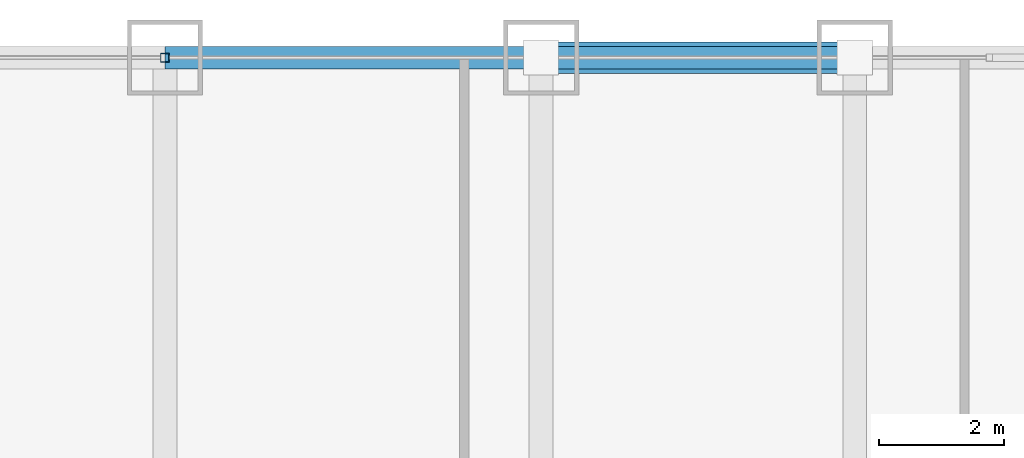
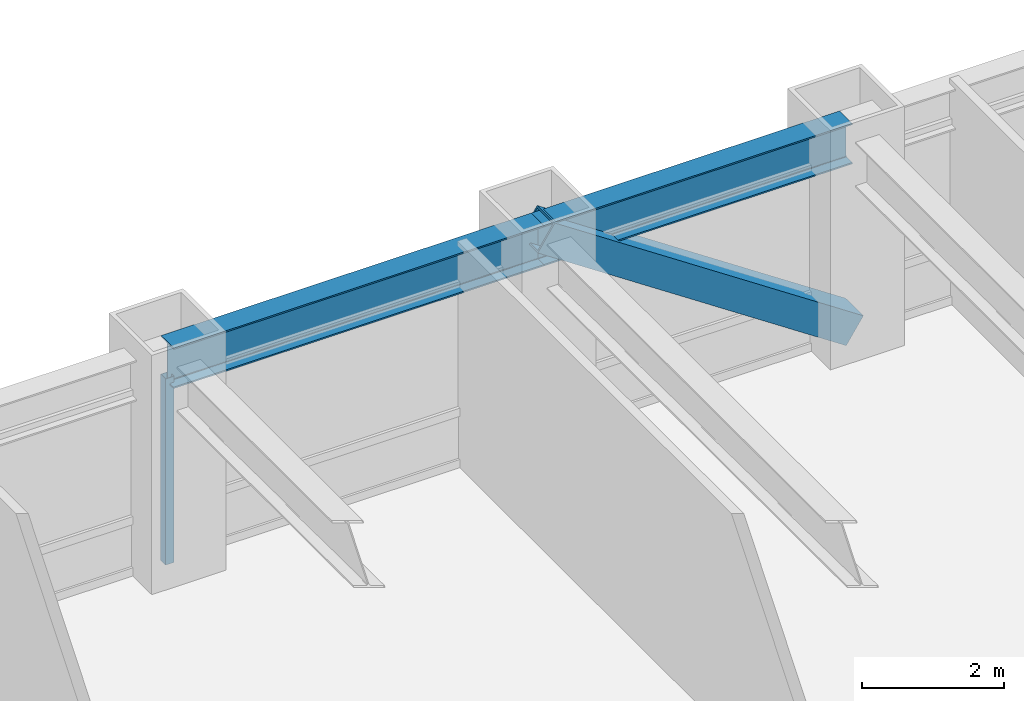
# One storey, part 19 of 27: 2 beams, 2 members, 1 element without a shape of its own.
"""IFC4 building model written with IfcOpenShell, lengths in metres."""

from ifc_helpers import new_model, si_unit, direction, frame, origin, origin_2d, place, context, subcontext, project, spatial, hollow_rectangle, i_section, extrude, source, transform, mapped, material, material_profile, profile_set, type_object, element, aggregate, save


model = new_model("IFC4")

# Units and contexts
model_context = context("Model", 3, precision=1e-05, world=origin(), true_north=direction((0.0, 1.0)))
body_context = subcontext(model_context, "Body", "Model", "MODEL_VIEW")
ifc_project = project(units=[si_unit("LENGTHUNIT", "METRE"), si_unit("AREAUNIT", "SQUARE_METRE"), si_unit("VOLUMEUNIT", "CUBIC_METRE"), si_unit("PLANEANGLEUNIT", "RADIAN"), si_unit("MASSUNIT", "GRAM", prefix="KILO")], contexts=[model_context])

# Site, building, storey
site_placement = place(None, origin())
site = spatial("IfcSite", under=ifc_project, at=site_placement, CompositionType="ELEMENT")
building_placement = place(site_placement, origin())
building = spatial("IfcBuilding", under=site, at=building_placement, Name="Khorayat Bourse Tower", CompositionType="ELEMENT")
storey_placement = place(building_placement, frame((0.0, 0.0, 140.60009765625)))
storey = spatial("IfcBuildingStorey", under=building, at=storey_placement, Name="L32", CompositionType="ELEMENT", Elevation=140.60009765625)

# Beams
ifc_material_1 = material(Name="Steel ASTM A992 Grade 50", Category="steel")
ifc_material_profile_1 = material_profile(ifc_material_1, i_section(OverallWidth=0.35498046875, OverallDepth=0.695068359375, WebThickness=0.015380859375, FlangeThickness=0.02490234375, FilletRadius=0.01806640625, at=origin_2d()), Name="W690X217")
ifc_profile_set_1 = profile_set([ifc_material_profile_1], Name="Steel ASTM A992 Grade 50")
beam_type = type_object("IfcBeamType", Name="BM-SPAN-690", PredefinedType="SPANDREL", material=ifc_profile_set_1)
shared_shape_1 = source(origin(), body_context, "Body", "SweptSolid", [
    extrude(i_section(OverallWidth=0.35498046875, OverallDepth=0.695068359375, WebThickness=0.015380859375, FlangeThickness=0.02490234375, FilletRadius=0.01806640625, at=origin_2d()), origin(), (0.0, 0.0, 1.0), 5.0),
])
beam_1_placement = place(storey_placement, frame((6.0, 32.0, 3.412353515625), z_axis=(1.0, 0.0, 0.0), x_axis=(0.0, 1.0, 0.0)))
element("IfcBeam", 1, at=beam_1_placement, inside=storey, type_object=beam_type, Name="L32 BM-SPAN-690 BM-L32-SPN-046", PredefinedType="SPANDREL", context=body_context, shape_type="MappedRepresentation", body=[
    mapped(shared_shape_1, transform((0.0, 0.0, 0.0), scale=1.0)),
])
shared_shape_2 = source(origin(), body_context, "Body", "SweptSolid", [
    extrude(i_section(OverallWidth=0.35498046875, OverallDepth=0.695068359375, WebThickness=0.015380859375, FlangeThickness=0.02490234375, FilletRadius=0.01806640625, at=origin_2d()), origin(), (0.0, 0.0, 1.0), 6.0),
])
beam_2_placement = place(storey_placement, frame((0.0, 32.0, 3.412353515625), z_axis=(1.0, 0.0, 0.0), x_axis=(0.0, 1.0, 0.0)))
element("IfcBeam", 2, at=beam_2_placement, inside=storey, type_object=beam_type, Name="L32 BM-SPAN-690 BM-L32-SPN-047", PredefinedType="SPANDREL", context=body_context, shape_type="MappedRepresentation", body=[
    mapped(shared_shape_2, transform((0.0, 0.0, 0.0), scale=1.0)),
])

# Member
ifc_material_2 = material(Name="Steel EN 10025-4 S460M", Category="steel")
ifc_material_profile_2 = material_profile(ifc_material_2, hollow_rectangle(XDim=0.5, YDim=0.5, WallThickness=0.028076171875, at=origin_2d()), Name="HSS 500x500x28")
ifc_profile_set_2 = profile_set([ifc_material_profile_2], Name="Steel EN 10025-4 S460M")
member_type_1 = type_object("IfcMemberType", Name="MBR-TUBE-500", PredefinedType="BRACE", material=ifc_profile_set_2)
shared_shape_3 = source(origin(), body_context, "Body", "SweptSolid", [
    extrude(hollow_rectangle(XDim=0.5, YDim=0.5, WallThickness=0.028076171875, at=origin_2d()), origin(), (0.0, 0.0, 1.0), 6.012939453125),
])
member_1_placement = place(storey_placement, frame((6.0, 32.0, 3.58984375), z_axis=(0.831550226979, 0.0, -0.555449565677), x_axis=(0.0, 1.0, 0.0)))
element("IfcMember", 3, at=member_1_placement, inside=storey, type_object=member_type_1, Name="L32 Perimeter Tube Brace 04", PredefinedType="BRACE", context=body_context, shape_type="MappedRepresentation", body=[
    mapped(shared_shape_3, transform((0.0, 0.0, 0.0), scale=1.0)),
])

# Curtain wall, member
ifc_material_3 = material(Name="Aluminium EN AW-6063 T6", Category="aluminium")
curtain_wall_type = type_object("IfcCurtainWallType", Name="CW-SYS-02", PredefinedType="NOTDEFINED", material=ifc_material_3)
curtain_wall_placement = place(storey_placement, origin())
curtain_wall = element("IfcCurtainWall", 4, at=curtain_wall_placement, inside=storey, type_object=curtain_wall_type, Name="L32 Curtain Wall CW-L32-N1", PredefinedType="NOTDEFINED")
ifc_material_profile_3 = material_profile(ifc_material_3, hollow_rectangle(XDim=0.139892578125, YDim=0.139892578125, WallThickness=0.006103515625, at=origin_2d()), Name="ALU 140x140x6")
ifc_profile_set_3 = profile_set([ifc_material_profile_3], Name="Aluminium EN AW-6063 T6")
member_type_2 = type_object("IfcMemberType", Name="CWM-VERT-140", PredefinedType="MULLION", material=ifc_profile_set_3)
shared_shape_4 = source(origin(), body_context, "Body", "SweptSolid", [
    extrude(hollow_rectangle(XDim=0.139892578125, YDim=0.139892578125, WallThickness=0.006103515625, at=origin_2d()), origin(), (0.0, 0.0, 1.0), 3.18994140625),
])
member_2_placement = place(storey_placement, frame((0.0, 32.0, 0.0), z_axis=(0.0, 0.0, 1.0), x_axis=(0.0, 1.0, 0.0)))
member_2 = element("IfcMember", 5, at=member_2_placement, type_object=member_type_2, Name="CW-L32-N1 Vertical Mullion 2", PredefinedType="MULLION", context=body_context, shape_type="MappedRepresentation", body=[
    mapped(shared_shape_4, transform((0.0, 0.0, 0.0), scale=1.0)),
])
aggregate(curtain_wall, [member_2])

save(model, "model.ifc")
